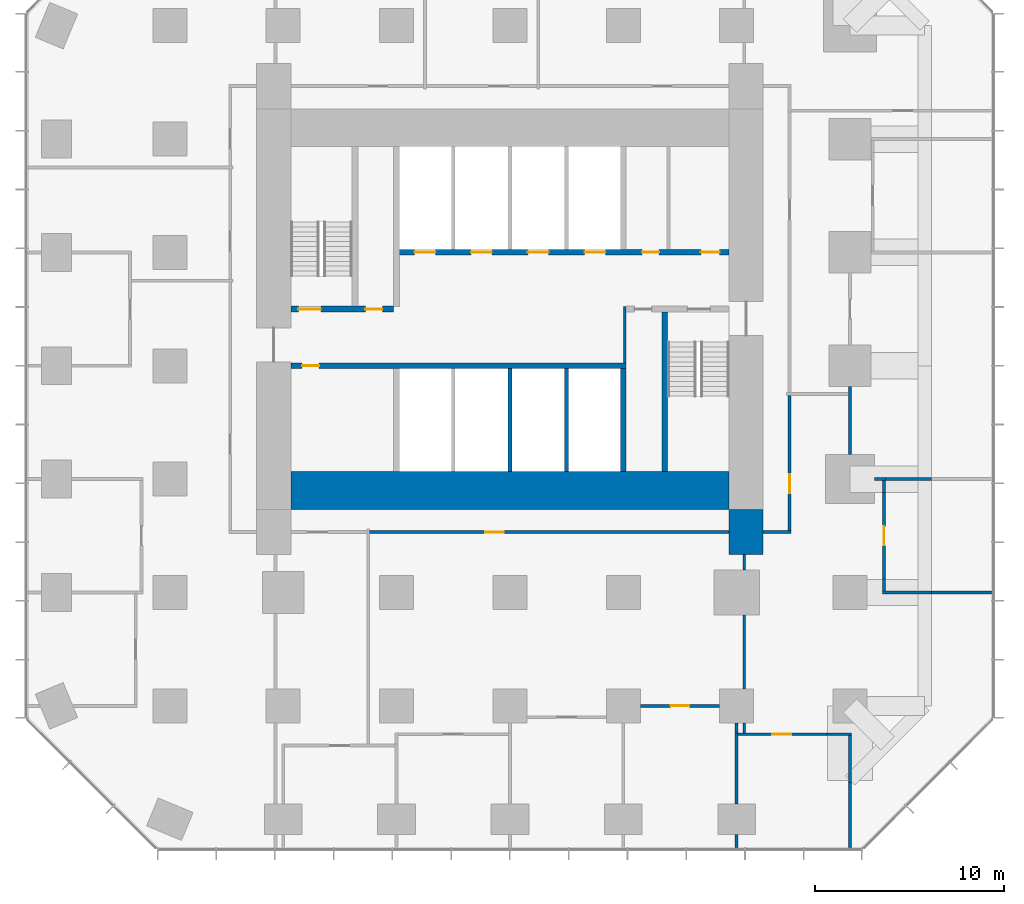
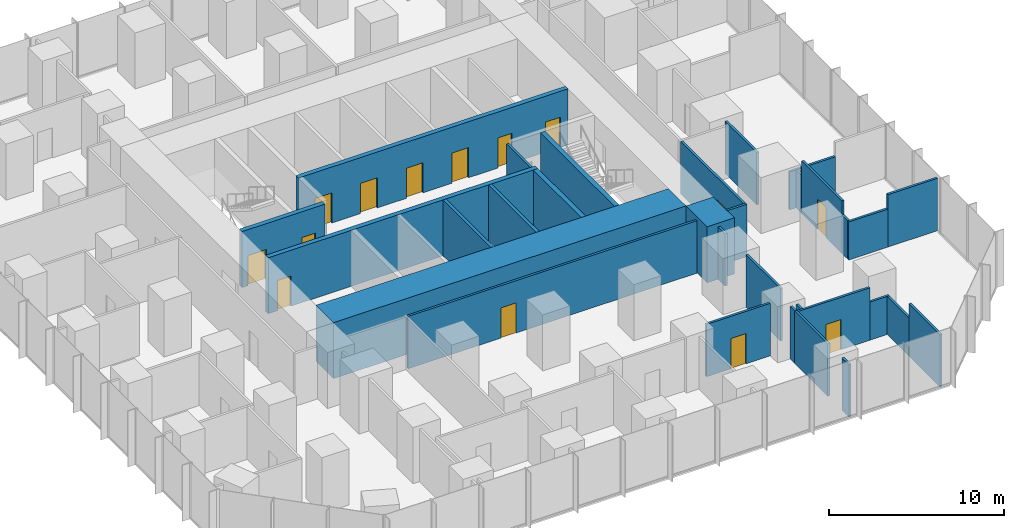
# One storey, part 9 of 12: 32 walls, 14 doors, 14 openings.
"""IFC4 building model written with IfcOpenShell, lengths in metres."""

from ifc_helpers import new_model, si_unit, direction, frame, frame_2d, origin, place, context, subcontext, project, spatial, rectangle, extrude, material, layer, layer_set, type_object, element, fill, save


model = new_model("IFC4")

# Units and contexts
model_context = context("Model", 3, precision=1e-05, world=origin(), true_north=direction((0.0, 1.0)))
body_context = subcontext(model_context, "Body", "Model", "MODEL_VIEW")
ifc_project = project(units=[si_unit("LENGTHUNIT", "METRE"), si_unit("AREAUNIT", "SQUARE_METRE"), si_unit("VOLUMEUNIT", "CUBIC_METRE"), si_unit("PLANEANGLEUNIT", "RADIAN"), si_unit("MASSUNIT", "GRAM", prefix="KILO")], contexts=[model_context])

# Site, building, storey
site_placement = place(None, origin())
site = spatial("IfcSite", under=ifc_project, at=site_placement, CompositionType="ELEMENT")
building_placement = place(site_placement, origin())
building = spatial("IfcBuilding", under=site, at=building_placement, Name="Highveld Stack Headquarters", CompositionType="ELEMENT")
storey_placement = place(building_placement, frame((0.0, 0.0, 49.39990234375)))
storey = spatial("IfcBuildingStorey", under=building, at=storey_placement, Name="L11", CompositionType="ELEMENT", Elevation=49.39990234375)

# Wall
ifc_material_1 = material(Name="Concrete C60/75", Category="concrete")
ifc_layer_1 = layer(ifc_material_1, 2.0)
ifc_layer_set_1 = layer_set([ifc_layer_1], Name="Concrete C60/75")
wall_type_1 = type_object("IfcWallType", Name="CORE WALL 2000 C60/75", PredefinedType="SHEAR", material=ifc_layer_set_1)
wall_1_placement = place(storey_placement, frame((-5.60009765625, -6.60009765625, 0.0), z_axis=(0.0, 0.0, 1.0), x_axis=(1.0, 0.0, 0.0)))
element("IfcWall", 1, at=wall_1_placement, inside=storey, type_object=wall_type_1, Name="Core wall S L11", PredefinedType="SHEAR", context=body_context, shape_type="SweptSolid", body=[
    extrude(rectangle(XDim=23.2001953125, YDim=2.0, at=frame_2d((11.60009765625, 0.0))), origin(), (0.0, 0.0, 1.0), 3.900146484375),
])

# Wall, opening, door
ifc_material_2 = material(Name="Concrete C60/75", Category="concrete")
ifc_layer_2 = layer(ifc_material_2, 0.300048828125)
ifc_layer_set_2 = layer_set([ifc_layer_2], Name="Concrete C60/75")
wall_type_2 = type_object("IfcWallType", Name="CORE WALL 300 C60/75", PredefinedType="SHEAR", material=ifc_layer_set_2)
wall_2_placement = place(storey_placement, frame((-5.60009765625, 0.0, 0.0), z_axis=(0.0, 0.0, 1.0), x_axis=(1.0, 0.0, 0.0)))
wall_2 = element("IfcWall", 2, at=wall_2_placement, inside=storey, type_object=wall_type_2, Name="Core wall I-Y0 L11", PredefinedType="SHEAR", context=body_context, shape_type="SweptSolid", body=[
    extrude(rectangle(XDim=17.75, YDim=0.300048828125, at=frame_2d((8.875, 0.0))), origin(), (0.0, 0.0, 1.0), 3.900146484375),
])
opening_1_placement = place(wall_2_placement, frame((0.60009765625, 0.0, 0.0)))
opening_1 = element("IfcOpeningElement", 3, at=opening_1_placement, cuts=wall_2, Name="Opening L11-07", PredefinedType="OPENING", context=body_context, shape_type="SweptSolid", body=[
    extrude(rectangle(XDim=0.89990234375, YDim=2.10009765625, at=frame_2d((0.449951171875, 1.050048828125))), frame((0.0, 0.159912109375, 0.0), z_axis=(0.0, -1.0, 0.0), x_axis=(1.0, 0.0, 0.0)), (0.0, 0.0, 1.0), 0.320068359375),
])
ifc_material_3 = material(Name="Timber door, painted", Category="wood")
door_type_1 = type_object("IfcDoorType", Name="WC DOOR D1 900x2100", OperationType="SINGLE_SWING_LEFT", PredefinedType="DOOR", material=ifc_material_3)
door_1_placement = place(opening_1_placement, origin())
door_1 = element("IfcDoor", 4, at=door_1_placement, inside=storey, type_object=door_type_1, Name="Female WC door L11", OperationType="SINGLE_SWING_LEFT", OverallHeight=2.10009765625, OverallWidth=0.89990234375, PredefinedType="DOOR", context=body_context, shape_type="SweptSolid", body=[
    extrude(rectangle(XDim=0.89990234375, YDim=2.10009765625, at=frame_2d((0.449951171875, 1.050048828125))), frame((0.0, 0.02490234375, 0.0), z_axis=(0.0, -1.0, 0.0), x_axis=(1.0, 0.0, 0.0)), (0.0, 0.0, 1.0), 0.050048828125),
])
fill(opening_1, door_1)

# Wall, openings, doors
wall_3_placement = place(storey_placement, frame((-5.60009765625, 3.0, 0.0), z_axis=(0.0, 0.0, 1.0), x_axis=(1.0, 0.0, 0.0)))
wall_3 = element("IfcWall", 5, at=wall_3_placement, inside=storey, type_object=wall_type_2, Name="Core wall I-Y3W L11", PredefinedType="SHEAR", context=body_context, shape_type="SweptSolid", body=[
    extrude(rectangle(XDim=5.4501953125, YDim=0.300048828125, at=frame_2d((2.72509765625, 0.0))), origin(), (0.0, 0.0, 1.0), 3.900146484375),
])
opening_2_placement = place(wall_3_placement, frame((0.39990234375, 0.0, 0.0)))
opening_2 = element("IfcOpeningElement", 6, at=opening_2_placement, cuts=wall_3, Name="Opening L11-03", PredefinedType="OPENING", context=body_context, shape_type="SweptSolid", body=[
    extrude(rectangle(XDim=1.199951171875, YDim=2.10009765625, at=frame_2d((0.60009765625, 1.050048828125))), frame((0.0, 0.159912109375, 0.0), z_axis=(0.0, -1.0, 0.0), x_axis=(1.0, 0.0, 0.0)), (0.0, 0.0, 1.0), 0.320068359375),
])
opening_3_placement = place(wall_3_placement, frame((3.949951171875, 0.0, 0.0)))
opening_3 = element("IfcOpeningElement", 7, at=opening_3_placement, cuts=wall_3, Name="Opening L11-04", PredefinedType="OPENING", context=body_context, shape_type="SweptSolid", body=[
    extrude(rectangle(XDim=0.89990234375, YDim=2.10009765625, at=frame_2d((0.449951171875, 1.050048828125))), frame((0.0, 0.159912109375, 0.0), z_axis=(0.0, -1.0, 0.0), x_axis=(1.0, 0.0, 0.0)), (0.0, 0.0, 1.0), 0.320068359375),
])
ifc_material_4 = material(Name="Steel fire door", Category="steel")
door_type_2 = type_object("IfcDoorType", Name="RISER ACCESS DOOR D5 900x2100", OperationType="SINGLE_SWING_LEFT", PredefinedType="DOOR", material=ifc_material_4)
door_2_placement = place(opening_3_placement, origin())
door_2 = element("IfcDoor", 8, at=door_2_placement, inside=storey, type_object=door_type_2, Name="Riser R1 door L11", OperationType="SINGLE_SWING_RIGHT", OverallHeight=2.10009765625, OverallWidth=0.89990234375, PredefinedType="DOOR", context=body_context, shape_type="SweptSolid", body=[
    extrude(rectangle(XDim=0.89990234375, YDim=2.10009765625, at=frame_2d((0.449951171875, 1.050048828125))), frame((0.0, 0.02490234375, 0.0), z_axis=(0.0, -1.0, 0.0), x_axis=(1.0, 0.0, 0.0)), (0.0, 0.0, 1.0), 0.050048828125),
])
fill(opening_3, door_2)
ifc_material_5 = material(Name="Steel fire door", Category="steel")
door_type_3 = type_object("IfcDoorType", Name="STAIR FIRE DOOR D3 1200x2100", OperationType="SINGLE_SWING_LEFT", PredefinedType="DOOR", material=ifc_material_5)
door_3_placement = place(opening_2_placement, origin())
door_3 = element("IfcDoor", 9, at=door_3_placement, inside=storey, type_object=door_type_3, Name="Stair S1 door L11", OperationType="SINGLE_SWING_LEFT", OverallHeight=2.10009765625, OverallWidth=1.199951171875, PredefinedType="DOOR", context=body_context, shape_type="SweptSolid", body=[
    extrude(rectangle(XDim=1.199951171875, YDim=2.10009765625, at=frame_2d((0.60009765625, 1.050048828125))), frame((0.0, 0.02490234375, 0.0), z_axis=(0.0, -1.0, 0.0), x_axis=(1.0, 0.0, 0.0)), (0.0, 0.0, 1.0), 0.050048828125),
])
fill(opening_2, door_3)

wall_4_placement = place(storey_placement, frame((-0.14990234375, 6.0, 0.0), z_axis=(0.0, 0.0, 1.0), x_axis=(1.0, 0.0, 0.0)))
wall_4 = element("IfcWall", 10, at=wall_4_placement, inside=storey, type_object=wall_type_2, Name="Core wall I-Y6 L11", PredefinedType="SHEAR", context=body_context, shape_type="SweptSolid", body=[
    extrude(rectangle(XDim=17.75, YDim=0.300048828125, at=frame_2d((8.875, 0.0))), origin(), (0.0, 0.0, 1.0), 3.900146484375),
])
opening_4_placement = place(wall_4_placement, frame((13.14990234375, 0.0, 0.0)))
opening_4 = element("IfcOpeningElement", 11, at=opening_4_placement, cuts=wall_4, Name="Opening L11-08", PredefinedType="OPENING", context=body_context, shape_type="SweptSolid", body=[
    extrude(rectangle(XDim=0.89990234375, YDim=2.10009765625, at=frame_2d((0.449951171875, 1.050048828125))), frame((0.0, 0.159912109375, 0.0), z_axis=(0.0, -1.0, 0.0), x_axis=(1.0, 0.0, 0.0)), (0.0, 0.0, 1.0), 0.320068359375),
])
opening_5_placement = place(wall_4_placement, frame((16.25, 0.0, 0.0)))
opening_5 = element("IfcOpeningElement", 12, at=opening_5_placement, cuts=wall_4, Name="Opening L11-09", PredefinedType="OPENING", context=body_context, shape_type="SweptSolid", body=[
    extrude(rectangle(XDim=1.0, YDim=2.10009765625, at=frame_2d((0.5, 1.050048828125))), frame((0.0, 0.159912109375, 0.0), z_axis=(0.0, -1.0, 0.0), x_axis=(1.0, 0.0, 0.0)), (0.0, 0.0, 1.0), 0.320068359375),
])
opening_6_placement = place(wall_4_placement, frame((1.10009765625, 0.0, 0.0)))
opening_6 = element("IfcOpeningElement", 13, at=opening_6_placement, cuts=wall_4, Name="Opening LD", PredefinedType="OPENING", context=body_context, shape_type="SweptSolid", body=[
    extrude(rectangle(XDim=1.10009765625, YDim=2.10009765625, at=frame_2d((0.550048828125, 1.050048828125))), frame((0.0, 0.159912109375, 0.0), z_axis=(0.0, -1.0, 0.0), x_axis=(1.0, 0.0, 0.0)), (0.0, 0.0, 1.0), 0.320068359375),
])
opening_7_placement = place(wall_4_placement, frame((4.10009765625, 0.0, 0.0)))
opening_7 = element("IfcOpeningElement", 14, at=opening_7_placement, cuts=wall_4, Name="Opening LD", PredefinedType="OPENING", context=body_context, shape_type="SweptSolid", body=[
    extrude(rectangle(XDim=1.10009765625, YDim=2.10009765625, at=frame_2d((0.550048828125, 1.050048828125))), frame((0.0, 0.159912109375, 0.0), z_axis=(0.0, -1.0, 0.0), x_axis=(1.0, 0.0, 0.0)), (0.0, 0.0, 1.0), 0.320068359375),
])
opening_8_placement = place(wall_4_placement, frame((7.10009765625, 0.0, 0.0)))
opening_8 = element("IfcOpeningElement", 15, at=opening_8_placement, cuts=wall_4, Name="Opening LD", PredefinedType="OPENING", context=body_context, shape_type="SweptSolid", body=[
    extrude(rectangle(XDim=1.10009765625, YDim=2.10009765625, at=frame_2d((0.550048828125, 1.050048828125))), frame((0.0, 0.159912109375, 0.0), z_axis=(0.0, -1.0, 0.0), x_axis=(1.0, 0.0, 0.0)), (0.0, 0.0, 1.0), 0.320068359375),
])
opening_9_placement = place(wall_4_placement, frame((10.10009765625, 0.0, 0.0)))
opening_9 = element("IfcOpeningElement", 16, at=opening_9_placement, cuts=wall_4, Name="Opening LD", PredefinedType="OPENING", context=body_context, shape_type="SweptSolid", body=[
    extrude(rectangle(XDim=1.10009765625, YDim=2.10009765625, at=frame_2d((0.550048828125, 1.050048828125))), frame((0.0, 0.159912109375, 0.0), z_axis=(0.0, -1.0, 0.0), x_axis=(1.0, 0.0, 0.0)), (0.0, 0.0, 1.0), 0.320068359375),
])
ifc_material_6 = material(Name="Timber door, painted", Category="wood")
door_type_4 = type_object("IfcDoorType", Name="ACCESSIBLE WC DOOR D2 1000x2100", OperationType="SINGLE_SWING_RIGHT", PredefinedType="DOOR", material=ifc_material_6)
door_4_placement = place(opening_5_placement, origin())
door_4 = element("IfcDoor", 17, at=door_4_placement, inside=storey, type_object=door_type_4, Name="Accessible WC door L11", OperationType="SINGLE_SWING_RIGHT", OverallHeight=2.10009765625, OverallWidth=1.0, PredefinedType="DOOR", context=body_context, shape_type="SweptSolid", body=[
    extrude(rectangle(XDim=1.0, YDim=2.10009765625, at=frame_2d((0.5, 1.050048828125))), frame((0.0, 0.02490234375, 0.0), z_axis=(0.0, -1.0, 0.0), x_axis=(1.0, 0.0, 0.0)), (0.0, 0.0, 1.0), 0.050048828125),
])
fill(opening_5, door_4)
ifc_material_7 = material(Name="Stainless steel lift landing door", Category="steel")
door_type_5 = type_object("IfcDoorType", Name="LIFT LANDING DOOR LD 1100x2100", OperationType="DOUBLE_DOOR_SLIDING", PredefinedType="USERDEFINED", material=ifc_material_7)
door_5_placement = place(opening_6_placement, origin())
door_5 = element("IfcDoor", 18, at=door_5_placement, inside=storey, type_object=door_type_5, Name="Lift landing door FF1 L11", ObjectType="LIFT LANDING DOOR", OperationType="DOUBLE_DOOR_SLIDING", OverallHeight=2.10009765625, OverallWidth=1.10009765625, PredefinedType="USERDEFINED", context=body_context, shape_type="SweptSolid", body=[
    extrude(rectangle(XDim=1.10009765625, YDim=2.10009765625, at=frame_2d((0.550048828125, 1.050048828125))), frame((0.0, 0.02490234375, 0.0), z_axis=(0.0, -1.0, 0.0), x_axis=(1.0, 0.0, 0.0)), (0.0, 0.0, 1.0), 0.050048828125),
])
fill(opening_6, door_5)
door_6_placement = place(opening_7_placement, origin())
door_6 = element("IfcDoor", 19, at=door_6_placement, inside=storey, type_object=door_type_5, Name="Lift landing door FF2 L11", ObjectType="LIFT LANDING DOOR", OperationType="DOUBLE_DOOR_SLIDING", OverallHeight=2.10009765625, OverallWidth=1.10009765625, PredefinedType="USERDEFINED", context=body_context, shape_type="SweptSolid", body=[
    extrude(rectangle(XDim=1.10009765625, YDim=2.10009765625, at=frame_2d((0.550048828125, 1.050048828125))), frame((0.0, 0.02490234375, 0.0), z_axis=(0.0, -1.0, 0.0), x_axis=(1.0, 0.0, 0.0)), (0.0, 0.0, 1.0), 0.050048828125),
])
fill(opening_7, door_6)
door_7_placement = place(opening_8_placement, origin())
door_7 = element("IfcDoor", 20, at=door_7_placement, inside=storey, type_object=door_type_5, Name="Lift landing door A1 L11", ObjectType="LIFT LANDING DOOR", OperationType="DOUBLE_DOOR_SLIDING", OverallHeight=2.10009765625, OverallWidth=1.10009765625, PredefinedType="USERDEFINED", context=body_context, shape_type="SweptSolid", body=[
    extrude(rectangle(XDim=1.10009765625, YDim=2.10009765625, at=frame_2d((0.550048828125, 1.050048828125))), frame((0.0, 0.02490234375, 0.0), z_axis=(0.0, -1.0, 0.0), x_axis=(1.0, 0.0, 0.0)), (0.0, 0.0, 1.0), 0.050048828125),
])
fill(opening_8, door_7)
door_8_placement = place(opening_9_placement, origin())
door_8 = element("IfcDoor", 21, at=door_8_placement, inside=storey, type_object=door_type_5, Name="Lift landing door A2 L11", ObjectType="LIFT LANDING DOOR", OperationType="DOUBLE_DOOR_SLIDING", OverallHeight=2.10009765625, OverallWidth=1.10009765625, PredefinedType="USERDEFINED", context=body_context, shape_type="SweptSolid", body=[
    extrude(rectangle(XDim=1.10009765625, YDim=2.10009765625, at=frame_2d((0.550048828125, 1.050048828125))), frame((0.0, 0.02490234375, 0.0), z_axis=(0.0, -1.0, 0.0), x_axis=(1.0, 0.0, 0.0)), (0.0, 0.0, 1.0), 0.050048828125),
])
fill(opening_9, door_8)
door_9_placement = place(opening_4_placement, origin())
door_9 = element("IfcDoor", 22, at=door_9_placement, inside=storey, type_object=door_type_1, Name="Male WC door L11", OperationType="SINGLE_SWING_RIGHT", OverallHeight=2.10009765625, OverallWidth=0.89990234375, PredefinedType="DOOR", context=body_context, shape_type="SweptSolid", body=[
    extrude(rectangle(XDim=0.89990234375, YDim=2.10009765625, at=frame_2d((0.449951171875, 1.050048828125))), frame((0.0, 0.02490234375, 0.0), z_axis=(0.0, -1.0, 0.0), x_axis=(1.0, 0.0, 0.0)), (0.0, 0.0, 1.0), 0.050048828125),
])
fill(opening_4, door_9)

# Walls
wall_5_placement = place(storey_placement, frame((12.0, -5.60009765625, 0.0), z_axis=(0.0, 0.0, 1.0), x_axis=(0.0, 1.0, 0.0)))
element("IfcWall", 23, at=wall_5_placement, inside=storey, type_object=wall_type_2, Name="Core wall I-X12S L11", PredefinedType="SHEAR", context=body_context, shape_type="SweptSolid", body=[
    extrude(rectangle(XDim=5.4501953125, YDim=0.300048828125, at=frame_2d((2.72509765625, 0.0))), origin(), (0.0, 0.0, 1.0), 3.900146484375),
])
wall_6_placement = place(storey_placement, frame((14.199951171875, -5.60009765625, 0.0), z_axis=(0.0, 0.0, 1.0), x_axis=(0.0, 1.0, 0.0)))
element("IfcWall", 24, at=wall_6_placement, inside=storey, type_object=wall_type_2, Name="Core wall I-RE L11", PredefinedType="SHEAR", context=body_context, shape_type="SweptSolid", body=[
    extrude(rectangle(XDim=8.4501953125, YDim=0.300048828125, at=frame_2d((4.22509765625, 0.0))), origin(), (0.0, 0.0, 1.0), 3.900146484375),
])
ifc_material_8 = material(Name="Concrete C60/75", Category="concrete")
ifc_layer_3 = layer(ifc_material_8, 1.800048828125)
ifc_layer_set_3 = layer_set([ifc_layer_3], Name="Concrete C60/75")
wall_type_3 = type_object("IfcWallType", Name="CORE WING WALL 1800 C60/75", PredefinedType="SHEAR", material=ifc_layer_set_3)
wall_7_placement = place(storey_placement, frame((18.5, -10.0, 0.0), z_axis=(0.0, 0.0, 1.0), x_axis=(0.0, 1.0, 0.0)))
element("IfcWall", 25, at=wall_7_placement, inside=storey, type_object=wall_type_3, Name="Core wing wall ES L11", PredefinedType="SHEAR", context=body_context, shape_type="SweptSolid", body=[
    extrude(rectangle(XDim=2.39990234375, YDim=1.800048828125, at=frame_2d((1.199951171875, 0.0))), origin(), (0.0, 0.0, 1.0), 3.900146484375),
])
ifc_material_9 = material(Name="Concrete blockwork, plastered", Category="masonry")
ifc_layer_4 = layer(ifc_material_9, 0.14990234375)
ifc_layer_set_4 = layer_set([ifc_layer_4], Name="Concrete blockwork, plastered")
wall_type_4 = type_object("IfcWallType", Name="FIRE PARTITION 150 BLOCKWORK", PredefinedType="PARTITIONING", material=ifc_layer_set_4)
wall_8_placement = place(storey_placement, frame((12.074951171875, 0.14990234375, 0.0), z_axis=(0.0, 0.0, 1.0), x_axis=(0.0, 1.0, 0.0)))
element("IfcWall", 26, at=wall_8_placement, inside=storey, type_object=wall_type_4, Name="Riser R2 enclosure L11", PredefinedType="PARTITIONING", context=body_context, shape_type="SweptSolid", body=[
    extrude(rectangle(XDim=3.0, YDim=0.14990234375, at=frame_2d((1.5, 0.0))), origin(), (0.0, 0.0, 1.0), 3.650146484375),
])

# Wall, opening, door
ifc_material_10 = material(Name="Laminated glass in aluminium frame", Category="aluminium")
ifc_layer_5 = layer(ifc_material_10, 0.14990234375)
ifc_layer_set_5 = layer_set([ifc_layer_5], Name="Laminated glass in aluminium frame")
wall_type_5 = type_object("IfcWallType", Name="GLAZED PARTITION 150", PredefinedType="PARTITIONING", material=ifc_layer_set_5)
wall_9_placement = place(storey_placement, frame((12.89990234375, -18.0, 0.0), z_axis=(0.0, 0.0, 1.0), x_axis=(1.0, 0.0, 0.0)))
wall_9 = element("IfcWall", 27, at=wall_9_placement, inside=storey, type_object=wall_type_5, Name="Glazed partition Meeting room L11", PredefinedType="PARTITIONING", context=body_context, shape_type="SweptSolid", body=[
    extrude(rectangle(XDim=4.2001953125, YDim=0.14990234375, at=frame_2d((2.10009765625, 0.0))), origin(), (0.0, 0.0, 1.0), 3.650146484375),
])
opening_10_placement = place(wall_9_placement, frame((1.60009765625, 0.0, 0.0)))
opening_10 = element("IfcOpeningElement", 28, at=opening_10_placement, cuts=wall_9, Name="Opening L11-13", PredefinedType="OPENING", context=body_context, shape_type="SweptSolid", body=[
    extrude(rectangle(XDim=1.0, YDim=2.10009765625, at=frame_2d((0.5, 1.050048828125))), frame((0.0, 0.0849609375, 0.0), z_axis=(0.0, -1.0, 0.0), x_axis=(1.0, 0.0, 0.0)), (0.0, 0.0, 1.0), 0.169921875),
])
ifc_material_11 = material(Name="Timber door, oiled ash", Category="wood")
door_type_6 = type_object("IfcDoorType", Name="ROOM DOOR D6 1000x2100", OperationType="SINGLE_SWING_LEFT", PredefinedType="DOOR", material=ifc_material_11)
door_10_placement = place(opening_10_placement, origin())
door_10 = element("IfcDoor", 29, at=door_10_placement, inside=storey, type_object=door_type_6, Name="Meeting room door 1 L11", OperationType="SINGLE_SWING_LEFT", OverallHeight=2.10009765625, OverallWidth=1.0, PredefinedType="DOOR", context=body_context, shape_type="SweptSolid", body=[
    extrude(rectangle(XDim=1.0, YDim=2.10009765625, at=frame_2d((0.5, 1.050048828125))), frame((0.0, 0.02490234375, 0.0), z_axis=(0.0, -1.0, 0.0), x_axis=(1.0, 0.0, 0.0)), (0.0, 0.0, 1.0), 0.050048828125),
])
fill(opening_10, door_10)

# Walls
ifc_material_12 = material(Name="Concrete blockwork, fair-faced", Category="masonry")
ifc_layer_6 = layer(ifc_material_12, 0.199951171875)
ifc_layer_set_6 = layer_set([ifc_layer_6], Name="Concrete blockwork, fair-faced")
wall_type_6 = type_object("IfcWallType", Name="LIFT SHAFT ENCLOSURE WALL 200 BLOCKWORK", PredefinedType="SOLIDWALL", material=ifc_layer_set_6)
for number, where, z_axis, x_axis, name in (
    (30, (6.0, -5.60009765625, 0.0), (0.0, 0.0, 1.0), (0.0, 1.0, 0.0), "Lift shaft wall L11"),
    (31, (9.0, -5.60009765625, 0.0), (0.0, 0.0, 1.0), (0.0, 1.0, 0.0), "Lift shaft wall L11"),
):
    element("IfcWall", number, at=place(storey_placement, frame(where, z_axis=z_axis, x_axis=x_axis)), inside=storey, type_object=wall_type_6, Name=name, PredefinedType="SOLIDWALL", context=body_context, shape_type="SweptSolid", body=[
        extrude(rectangle(XDim=5.4501953125, YDim=0.199951171875, at=frame_2d((2.72509765625, 0.0))), origin(), (0.0, 0.0, 1.0), 3.900146484375),
    ])

# Wall, opening, door
ifc_material_13 = material(Name="Gypsum plasterboard on steel studs", Category="steel")
ifc_layer_7 = layer(ifc_material_13, 0.14990234375)
ifc_layer_set_7 = layer_set([ifc_layer_7], Name="Gypsum plasterboard on steel studs")
wall_type_7 = type_object("IfcWallType", Name="PARTITION 150 PLASTERBOARD", PredefinedType="PARTITIONING", material=ifc_layer_set_7)
wall_10_placement = place(storey_placement, frame((18.074951171875, -19.5, 0.0), z_axis=(0.0, 0.0, 1.0), x_axis=(1.0, 0.0, 0.0)))
wall_10 = element("IfcWall", 32, at=wall_10_placement, inside=storey, type_object=wall_type_7, Name="Partition Quiet room L11", PredefinedType="PARTITIONING", context=body_context, shape_type="SweptSolid", body=[
    extrude(rectangle(XDim=4.715087890625, YDim=0.14990234375, at=frame_2d((2.357421875, 0.0))), origin(), (0.0, 0.0, 1.0), 3.650146484375),
])
opening_11_placement = place(wall_10_placement, frame((1.820068359375, 0.0, 0.0)))
opening_11 = element("IfcOpeningElement", 33, at=opening_11_placement, cuts=wall_10, Name="Opening L11-14", PredefinedType="OPENING", context=body_context, shape_type="SweptSolid", body=[
    extrude(rectangle(XDim=1.0, YDim=2.10009765625, at=frame_2d((0.5, 1.050048828125))), frame((0.0, 0.0849609375, 0.0), z_axis=(0.0, -1.0, 0.0), x_axis=(1.0, 0.0, 0.0)), (0.0, 0.0, 1.0), 0.169921875),
])
door_11_placement = place(opening_11_placement, origin())
door_11 = element("IfcDoor", 34, at=door_11_placement, inside=storey, type_object=door_type_6, Name="Quiet room door 1 L11", OperationType="SINGLE_SWING_LEFT", OverallHeight=2.10009765625, OverallWidth=1.0, PredefinedType="DOOR", context=body_context, shape_type="SweptSolid", body=[
    extrude(rectangle(XDim=1.0, YDim=2.10009765625, at=frame_2d((0.5, 1.050048828125))), frame((0.0, 0.02490234375, 0.0), z_axis=(0.0, -1.0, 0.0), x_axis=(1.0, 0.0, 0.0)), (0.0, 0.0, 1.0), 0.050048828125),
])
fill(opening_11, door_11)

# Walls
wall_11_placement = place(storey_placement, frame((22.7900390625, -19.5, 0.0), z_axis=(0.0, 0.0, 1.0), x_axis=(1.0, 0.0, 0.0)))
element("IfcWall", 35, at=wall_11_placement, inside=storey, type_object=wall_type_7, Name="Partition Quiet room L11", PredefinedType="PARTITIONING", context=body_context, shape_type="SweptSolid", body=[
    extrude(rectangle(XDim=1.284912109375, YDim=0.14990234375, at=frame_2d((0.642578125, 0.0))), origin(), (0.0, 0.0, 1.0), 2.650146484375),
])
wall_12_placement = place(storey_placement, frame((25.72509765625, -12.0, 0.0), z_axis=(0.0, 0.0, 1.0), x_axis=(1.0, 0.0, 0.0)))
element("IfcWall", 36, at=wall_12_placement, inside=storey, type_object=wall_type_7, Name="Partition Print room L11", PredefinedType="PARTITIONING", context=body_context, shape_type="SweptSolid", body=[
    extrude(rectangle(XDim=2.5849609375, YDim=0.14990234375, at=frame_2d((1.29248046875, 0.0))), origin(), (0.0, 0.0, 1.0), 2.650146484375),
])
wall_13_placement = place(storey_placement, frame((28.31005859375, -12.0, 0.0), z_axis=(0.0, 0.0, 1.0), x_axis=(1.0, 0.0, 0.0)))
element("IfcWall", 37, at=wall_13_placement, inside=storey, type_object=wall_type_7, Name="Partition Print room L11", PredefinedType="PARTITIONING", context=body_context, shape_type="SweptSolid", body=[
    extrude(rectangle(XDim=3.2900390625, YDim=0.14990234375, at=frame_2d((1.64501953125, 0.0))), origin(), (0.0, 0.0, 1.0), 3.650146484375),
])
wall_14_placement = place(storey_placement, frame((25.300048828125, -6.0, 0.0), z_axis=(0.0, 0.0, 1.0), x_axis=(1.0, 0.0, 0.0)))
element("IfcWall", 38, at=wall_14_placement, inside=storey, type_object=wall_type_7, Name="Partition Team office L11", PredefinedType="PARTITIONING", context=body_context, shape_type="SweptSolid", body=[
    extrude(rectangle(XDim=0.574951171875, YDim=0.14990234375, at=frame_2d((0.28759765625, 0.0))), origin(), (0.0, 0.0, 1.0), 2.650146484375),
])
wall_15_placement = place(storey_placement, frame((25.800048828125, -6.0, 0.0), z_axis=(0.0, 0.0, 1.0), x_axis=(1.0, 0.0, 0.0)))
element("IfcWall", 39, at=wall_15_placement, inside=storey, type_object=wall_type_7, Name="Partition Print room / Team office L11", PredefinedType="PARTITIONING", context=body_context, shape_type="SweptSolid", body=[
    extrude(rectangle(XDim=2.510009765625, YDim=0.14990234375, at=frame_2d((1.2548828125, 0.0))), origin(), (0.0, 0.0, 1.0), 2.650146484375),
])
wall_16_placement = place(storey_placement, frame((18.0, -25.60009765625, 0.0), z_axis=(0.0, 0.0, 1.0), x_axis=(0.0, 1.0, 0.0)))
element("IfcWall", 40, at=wall_16_placement, inside=storey, type_object=wall_type_7, Name="Partition Meeting room / Quiet room L11", PredefinedType="PARTITIONING", context=body_context, shape_type="SweptSolid", body=[
    extrude(rectangle(XDim=0.800048828125, YDim=0.14990234375, at=frame_2d((0.39990234375, 0.0))), origin(), (0.0, 0.0, 1.0), 3.650146484375),
])
wall_17_placement = place(storey_placement, frame((18.0, -23.199951171875, 0.0), z_axis=(0.0, 0.0, 1.0), x_axis=(0.0, 1.0, 0.0)))
element("IfcWall", 41, at=wall_17_placement, inside=storey, type_object=wall_type_7, Name="Partition Meeting room / Quiet room L11", PredefinedType="PARTITIONING", context=body_context, shape_type="SweptSolid", body=[
    extrude(rectangle(XDim=3.77490234375, YDim=0.14990234375, at=frame_2d((1.887451171875, 0.0))), origin(), (0.0, 0.0, 1.0), 3.650146484375),
])
wall_18_placement = place(storey_placement, frame((18.0, -19.425048828125, 0.0), z_axis=(0.0, 0.0, 1.0), x_axis=(0.0, 1.0, 0.0)))
element("IfcWall", 42, at=wall_18_placement, inside=storey, type_object=wall_type_7, Name="Partition Meeting room L11", PredefinedType="PARTITIONING", context=body_context, shape_type="SweptSolid", body=[
    extrude(rectangle(XDim=0.525146484375, YDim=0.14990234375, at=frame_2d((0.2626953125, 0.0))), origin(), (0.0, 0.0, 1.0), 3.650146484375),
])
wall_19_placement = place(storey_placement, frame((24.0, -25.60009765625, 0.0), z_axis=(0.0, 0.0, 1.0), x_axis=(0.0, 1.0, 0.0)))
element("IfcWall", 43, at=wall_19_placement, inside=storey, type_object=wall_type_7, Name="Partition Quiet room L11", PredefinedType="PARTITIONING", context=body_context, shape_type="SweptSolid", body=[
    extrude(rectangle(XDim=3.55517578125, YDim=0.14990234375, at=frame_2d((1.777587890625, 0.0))), origin(), (0.0, 0.0, 1.0), 3.650146484375),
])
wall_20_placement = place(storey_placement, frame((24.0, -22.044921875, 0.0), z_axis=(0.0, 0.0, 1.0), x_axis=(0.0, 1.0, 0.0)))
element("IfcWall", 44, at=wall_20_placement, inside=storey, type_object=wall_type_7, Name="Partition Quiet room L11", PredefinedType="PARTITIONING", context=body_context, shape_type="SweptSolid", body=[
    extrude(rectangle(XDim=2.469970703125, YDim=0.14990234375, at=frame_2d((1.23486328125, 0.0))), origin(), (0.0, 0.0, 1.0), 2.650146484375),
])
wall_21_placement = place(storey_placement, frame((24.0, -4.699951171875, 0.0), z_axis=(0.0, 0.0, 1.0), x_axis=(0.0, 1.0, 0.0)))
element("IfcWall", 45, at=wall_21_placement, inside=storey, type_object=wall_type_7, Name="Partition Team office L11", PredefinedType="PARTITIONING", context=body_context, shape_type="SweptSolid", body=[
    extrude(rectangle(XDim=3.599853515625, YDim=0.14990234375, at=frame_2d((1.7998046875, 0.0))), origin(), (0.0, 0.0, 1.0), 3.650146484375),
])
wall_22_placement = place(storey_placement, frame((25.800048828125, -11.925048828125, 0.0), z_axis=(0.0, 0.0, 1.0), x_axis=(0.0, 1.0, 0.0)))
element("IfcWall", 46, at=wall_22_placement, inside=storey, type_object=wall_type_7, Name="Partition Print room L11", PredefinedType="PARTITIONING", context=body_context, shape_type="SweptSolid", body=[
    extrude(rectangle(XDim=0.635009765625, YDim=0.14990234375, at=frame_2d((0.3173828125, 0.0))), origin(), (0.0, 0.0, 1.0), 2.650146484375),
])

# Wall, opening, door
wall_23_placement = place(storey_placement, frame((25.800048828125, -11.2900390625, 0.0), z_axis=(0.0, 0.0, 1.0), x_axis=(0.0, 1.0, 0.0)))
wall_23 = element("IfcWall", 47, at=wall_23_placement, inside=storey, type_object=wall_type_7, Name="Partition Print room L11", PredefinedType="PARTITIONING", context=body_context, shape_type="SweptSolid", body=[
    extrude(rectangle(XDim=4.580078125, YDim=0.14990234375, at=frame_2d((2.2900390625, 0.0))), origin(), (0.0, 0.0, 1.0), 3.650146484375),
])
opening_12_placement = place(wall_23_placement, frame((1.7900390625, 0.0, 0.0)))
opening_12 = element("IfcOpeningElement", 48, at=opening_12_placement, cuts=wall_23, Name="Opening L11-18", PredefinedType="OPENING", context=body_context, shape_type="SweptSolid", body=[
    extrude(rectangle(XDim=1.0, YDim=2.10009765625, at=frame_2d((0.5, 1.050048828125))), frame((0.0, 0.0849609375, 0.0), z_axis=(0.0, -1.0, 0.0), x_axis=(1.0, 0.0, 0.0)), (0.0, 0.0, 1.0), 0.169921875),
])
door_12_placement = place(opening_12_placement, origin())
door_12 = element("IfcDoor", 49, at=door_12_placement, inside=storey, type_object=door_type_6, Name="Print room door 1 L11", OperationType="SINGLE_SWING_LEFT", OverallHeight=2.10009765625, OverallWidth=1.0, PredefinedType="DOOR", context=body_context, shape_type="SweptSolid", body=[
    extrude(rectangle(XDim=1.0, YDim=2.10009765625, at=frame_2d((0.5, 1.050048828125))), frame((0.0, 0.02490234375, 0.0), z_axis=(0.0, -1.0, 0.0), x_axis=(1.0, 0.0, 0.0)), (0.0, 0.0, 1.0), 0.050048828125),
])
fill(opening_12, door_12)

# Wall
wall_24_placement = place(storey_placement, frame((25.800048828125, -6.7099609375, 0.0), z_axis=(0.0, 0.0, 1.0), x_axis=(0.0, 1.0, 0.0)))
element("IfcWall", 50, at=wall_24_placement, inside=storey, type_object=wall_type_7, Name="Partition Print room L11", PredefinedType="PARTITIONING", context=body_context, shape_type="SweptSolid", body=[
    extrude(rectangle(XDim=0.635009765625, YDim=0.14990234375, at=frame_2d((0.3173828125, 0.0))), origin(), (0.0, 0.0, 1.0), 2.650146484375),
])

# Wall, opening, door
wall_25_placement = place(storey_placement, frame((-1.425048828125, -8.800048828125, 0.0), z_axis=(0.0, 0.0, 1.0), x_axis=(1.0, 0.0, 0.0)))
wall_25 = element("IfcWall", 51, at=wall_25_placement, inside=storey, type_object=wall_type_7, Name="Partition office neighbourhood L11", PredefinedType="PARTITIONING", context=body_context, shape_type="SweptSolid", body=[
    extrude(rectangle(XDim=19.025146484375, YDim=0.14990234375, at=frame_2d((9.5126953125, 0.0))), origin(), (0.0, 0.0, 1.0), 3.650146484375),
])
opening_13_placement = place(wall_25_placement, frame((6.110107421875, 0.0, 0.0)))
opening_13 = element("IfcOpeningElement", 52, at=opening_13_placement, cuts=wall_25, Name="Opening L11-24", PredefinedType="OPENING", context=body_context, shape_type="SweptSolid", body=[
    extrude(rectangle(XDim=1.0, YDim=2.10009765625, at=frame_2d((0.5, 1.050048828125))), frame((0.0, 0.0849609375, 0.0), z_axis=(0.0, -1.0, 0.0), x_axis=(1.0, 0.0, 0.0)), (0.0, 0.0, 1.0), 0.169921875),
])
door_13_placement = place(opening_13_placement, origin())
door_13 = element("IfcDoor", 53, at=door_13_placement, inside=storey, type_object=door_type_6, Name="Office neighbourhood door L11", OperationType="SINGLE_SWING_LEFT", OverallHeight=2.10009765625, OverallWidth=1.0, PredefinedType="DOOR", context=body_context, shape_type="SweptSolid", body=[
    extrude(rectangle(XDim=1.0, YDim=2.10009765625, at=frame_2d((0.5, 1.050048828125))), frame((0.0, 0.02490234375, 0.0), z_axis=(0.0, -1.0, 0.0), x_axis=(1.0, 0.0, 0.0)), (0.0, 0.0, 1.0), 0.050048828125),
])
fill(opening_13, door_13)

# Walls
wall_26_placement = place(storey_placement, frame((18.39990234375, -19.425048828125, 0.0), z_axis=(0.0, 0.0, 1.0), x_axis=(0.0, 1.0, 0.0)))
element("IfcWall", 54, at=wall_26_placement, inside=storey, type_object=wall_type_7, Name="Partition office neighbourhood L11", PredefinedType="PARTITIONING", context=body_context, shape_type="SweptSolid", body=[
    extrude(rectangle(XDim=0.525146484375, YDim=0.14990234375, at=frame_2d((0.2626953125, 0.0))), origin(), (0.0, 0.0, 1.0), 3.650146484375),
])
wall_27_placement = place(storey_placement, frame((18.39990234375, -17.10009765625, 0.0), z_axis=(0.0, 0.0, 1.0), x_axis=(0.0, 1.0, 0.0)))
element("IfcWall", 55, at=wall_27_placement, inside=storey, type_object=wall_type_7, Name="Partition office neighbourhood L11", PredefinedType="PARTITIONING", context=body_context, shape_type="SweptSolid", body=[
    extrude(rectangle(XDim=3.900146484375, YDim=0.14990234375, at=frame_2d((1.9501953125, 0.0))), origin(), (0.0, 0.0, 1.0), 3.650146484375),
])
wall_28_placement = place(storey_placement, frame((18.39990234375, -10.800048828125, 0.0), z_axis=(0.0, 0.0, 1.0), x_axis=(0.0, 1.0, 0.0)))
element("IfcWall", 56, at=wall_28_placement, inside=storey, type_object=wall_type_7, Name="Partition office neighbourhood L11", PredefinedType="PARTITIONING", context=body_context, shape_type="SweptSolid", body=[
    extrude(rectangle(XDim=0.800048828125, YDim=0.14990234375, at=frame_2d((0.39990234375, 0.0))), origin(), (0.0, 0.0, 1.0), 3.650146484375),
])
wall_29_placement = place(storey_placement, frame((19.39990234375, -8.800048828125, 0.0), z_axis=(0.0, 0.0, 1.0), x_axis=(1.0, 0.0, 0.0)))
element("IfcWall", 57, at=wall_29_placement, inside=storey, type_object=wall_type_7, Name="Partition office neighbourhood L11", PredefinedType="PARTITIONING", context=body_context, shape_type="SweptSolid", body=[
    extrude(rectangle(XDim=1.47509765625, YDim=0.14990234375, at=frame_2d((0.737548828125, 0.0))), origin(), (0.0, 0.0, 1.0), 3.650146484375),
])

# Wall, opening, door
wall_30_placement = place(storey_placement, frame((20.800048828125, -8.72509765625, 0.0), z_axis=(0.0, 0.0, 1.0), x_axis=(0.0, 1.0, 0.0)))
wall_30 = element("IfcWall", 58, at=wall_30_placement, inside=storey, type_object=wall_type_7, Name="Partition office neighbourhood L11", PredefinedType="PARTITIONING", context=body_context, shape_type="SweptSolid", body=[
    extrude(rectangle(XDim=7.150146484375, YDim=0.14990234375, at=frame_2d((3.5751953125, 0.0))), origin(), (0.0, 0.0, 1.0), 3.650146484375),
])
opening_14_placement = place(wall_30_placement, frame((1.97998046875, 0.0, 0.0)))
opening_14 = element("IfcOpeningElement", 59, at=opening_14_placement, cuts=wall_30, Name="Opening L11-23", PredefinedType="OPENING", context=body_context, shape_type="SweptSolid", body=[
    extrude(rectangle(XDim=1.0, YDim=2.10009765625, at=frame_2d((0.5, 1.050048828125))), frame((0.0, 0.0849609375, 0.0), z_axis=(0.0, -1.0, 0.0), x_axis=(1.0, 0.0, 0.0)), (0.0, 0.0, 1.0), 0.169921875),
])
door_14_placement = place(opening_14_placement, origin())
door_14 = element("IfcDoor", 60, at=door_14_placement, inside=storey, type_object=door_type_6, Name="Office neighbourhood door L11", OperationType="SINGLE_SWING_LEFT", OverallHeight=2.10009765625, OverallWidth=1.0, PredefinedType="DOOR", context=body_context, shape_type="SweptSolid", body=[
    extrude(rectangle(XDim=1.0, YDim=2.10009765625, at=frame_2d((0.5, 1.050048828125))), frame((0.0, 0.02490234375, 0.0), z_axis=(0.0, -1.0, 0.0), x_axis=(1.0, 0.0, 0.0)), (0.0, 0.0, 1.0), 0.050048828125),
])
fill(opening_14, door_14)

save(model, "model.ifc")
